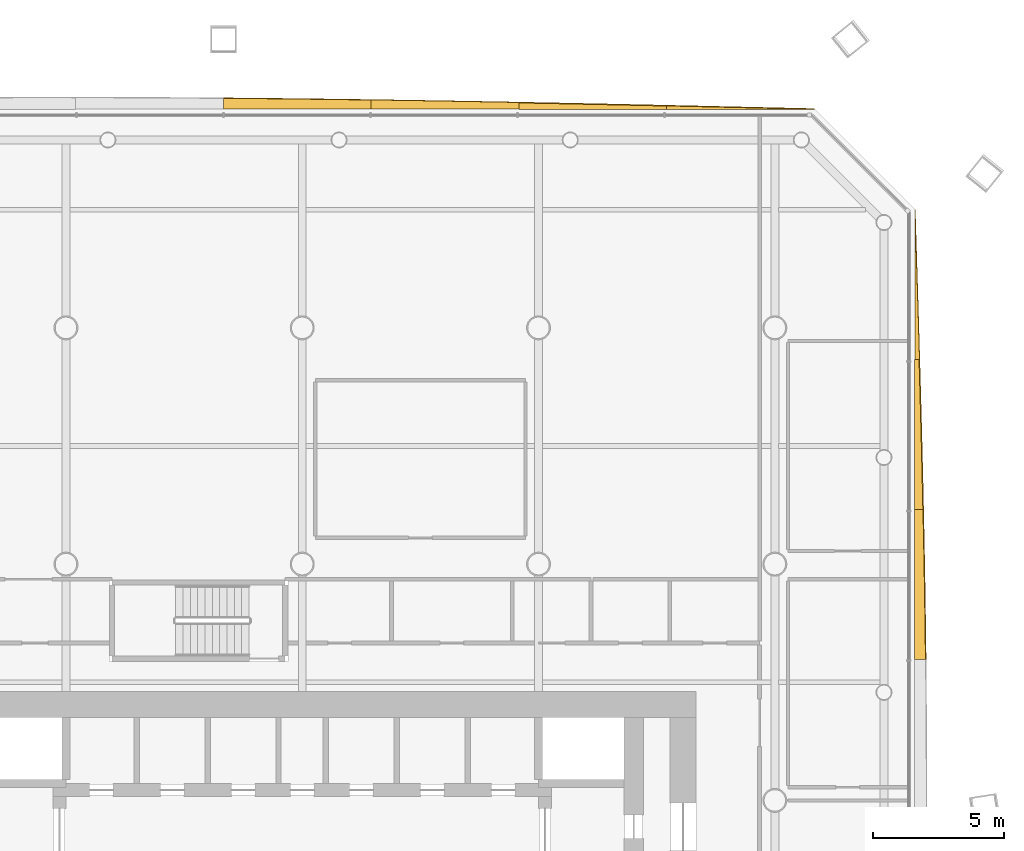
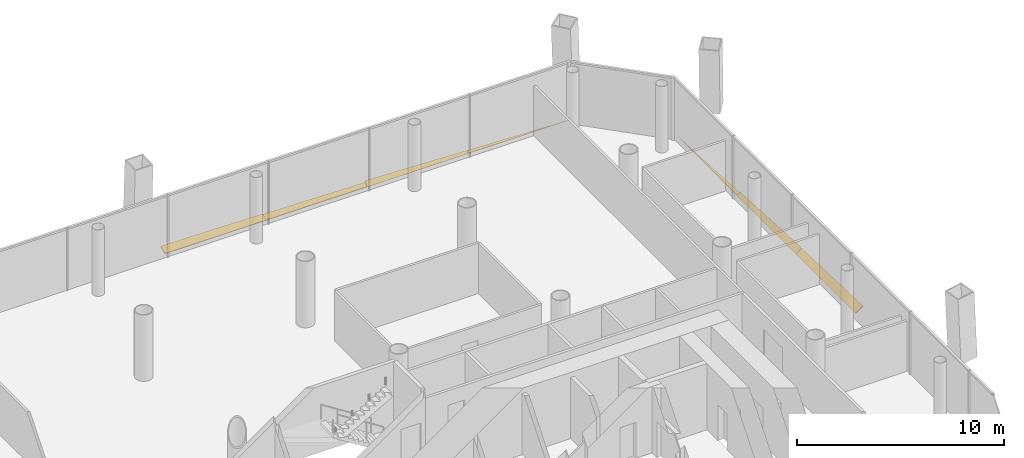
# One storey, part 20 of 20: 7 shading devices.
"""IFC4 building model written with IfcOpenShell, lengths in metres."""

from ifc_helpers import new_model, si_unit, direction, frame, origin, place, context, subcontext, project, spatial, polyline, outline, extrude, material, layer, layer_set, type_object, element, save


model = new_model("IFC4")

# Units and contexts
model_context = context("Model", 3, precision=1e-05, world=origin(), true_north=direction((0.0, 1.0)))
body_context = subcontext(model_context, "Body", "Model", "MODEL_VIEW")
ifc_project = project(units=[si_unit("LENGTHUNIT", "METRE"), si_unit("AREAUNIT", "SQUARE_METRE"), si_unit("VOLUMEUNIT", "CUBIC_METRE"), si_unit("PLANEANGLEUNIT", "RADIAN"), si_unit("MASSUNIT", "GRAM", prefix="KILO")], contexts=[model_context])

# Site, building, storey
site_placement = place(None, origin())
site = spatial("IfcSite", under=ifc_project, at=site_placement, CompositionType="ELEMENT")
building_placement = place(site_placement, origin())
building = spatial("IfcBuilding", under=site, at=building_placement, Name="Tskaro Facet Tower", CompositionType="ELEMENT")
storey_placement = place(building_placement, frame((0.0, 0.0, 49.800048828125)))
storey = spatial("IfcBuildingStorey", under=building, at=storey_placement, Name="L11", CompositionType="ELEMENT", Elevation=49.800048828125)

# Shading devices
ifc_material = material(Name="Bronze anodised aluminium 6063-T6", Category="aluminium")
ifc_layer = layer(ifc_material, 0.06005859375, Name="Bronze anodised aluminium 6063-T6")
ifc_layer_set = layer_set([ifc_layer], Name="Bronze anodised aluminium 6063-T6")
shading_device_type = type_object("IfcShadingDeviceType", Name="Bronze sun blade (FN1)", PredefinedType="USERDEFINED", material=ifc_layer_set)
shading_device_1_placement = place(storey_placement, frame((23.322509765625, 5.3583984375, 0.049072265625), z_axis=(-0.573550276794, -4.924041e-06, 0.819170360771), x_axis=(-2.824185e-06, 0.999999999988, 4.033628e-06)))
element("IfcShadingDevice", 1, at=shading_device_1_placement, inside=storey, type_object=shading_device_type, Name="Fin blade east 6", ObjectType="FIN", PredefinedType="USERDEFINED", context=body_context, shape_type="SweptSolid", body=[
    extrude(outline(polyline([(0.0, 0.0), (5.7167968749306945, 0.0), (5.716796875413852, -0.39019521633017207), (5.002197265643841, -0.4086159253806708), (4.287597656662277, -0.42595660952962566), (3.572998046794891, -0.4422772346178516), (2.85839843673118, -0.4573778078814863), (2.1437988274559174, -0.47139835624357695), (1.429199218673829, -0.48399886001721404), (0.7145996099906898, -0.49571933165316945), (1.264537964997419e-10, -0.5060797245414865), (0.0, 0.0)])), origin(), (0.0, 0.0, -1.0), 0.06005859375),
])
shading_device_2_placement = place(storey_placement, frame((23.318359375, 11.0751953125, 0.0458984375), z_axis=(-0.642742407564, -8.94498e-07, 0.76608236993), x_axis=(-5.74932e-07, 1.0, 6.85259e-07)))
element("IfcShadingDevice", 2, at=shading_device_2_placement, inside=storey, type_object=shading_device_type, Name="Fin blade east 7", ObjectType="FIN", PredefinedType="USERDEFINED", context=body_context, shape_type="SweptSolid", body=[
    extrude(outline(polyline([(0.0, 0.0), (5.717041015622713, -3.0265763131491014e-22), (5.717041015561255, -0.22684762321934981), (5.002441406247285, -0.2533556323096181), (4.287597656254442, -0.2791757386765002), (3.5729980468327285, -0.3043079423199961), (2.858398437497508, -0.3285652114115095), (2.143798828108418, -0.35213457777963675), (1.429199218805821, -0.3748290095957815), (0.7145996094224176, -0.396491587326847), (-4.179184626114558e-11, -0.4171223109728332), (0.0, 0.0)])), origin(), (0.0, 0.0, -1.0), 0.06005859375),
])
shading_device_3_placement = place(storey_placement, frame((23.33642578125, 16.792236328125, 0.056396484375), z_axis=(-0.341180736834, 2.3145741e-05, 0.939997715039), x_axis=(7.896881e-06, 0.999999999732, -2.1756943e-05)))
element("IfcShadingDevice", 3, at=shading_device_3_placement, inside=storey, type_object=shading_device_type, Name="Fin blade east 8", ObjectType="FIN", PredefinedType="USERDEFINED", context=body_context, shape_type="SweptSolid", body=[
    extrude(outline(polyline([(0.0, 0.0), (5.716796873468684, 0.0), (5.002197266368572, -0.023862000518859526), (4.287597657340511, -0.04749450940800949), (3.5729980463845004, -0.0708975266674499), (2.8583984354284895, -0.09430054392689033), (2.1437988278562834, -0.11739077347827026), (1.4291992183561277, -0.14025151139994063), (0.7145996069280226, -0.16288275769190147), (-3.044227551640623e-09, -0.18497172464609224), (0.0, 0.0)])), origin(), (0.0, 0.0, -1.0), 0.06005859375),
])
shading_device_4_placement = place(storey_placement, frame((19.509033203125, 26.322509765625, 0.049072265625), z_axis=(1.1419232e-05, -0.573449467097, 0.819240934375), x_axis=(-0.999999999935, -6.548353e-06, 9.355102e-06)))
element("IfcShadingDevice", 4, at=shading_device_4_placement, inside=storey, type_object=shading_device_type, Name="Fin blade north 1", ObjectType="FIN", PredefinedType="USERDEFINED", context=body_context, shape_type="SweptSolid", body=[
    extrude(outline(polyline([(0.0, 0.0), (5.62719726525811, 0.0), (5.627197265971702, -0.15828616649304866), (4.923828126531065, -0.1389854128898016), (4.220458984806466, -0.11954465697524236), (3.5170898446805876, -0.09990389106692618), (2.813720702270748, -0.08012312284729789), (2.1103515614596273, -0.06014234463391266), (1.4067382800235226, -0.04016156642052742), (0.7033691392124019, -0.020180788207142183), (0.0, 0.0)])), origin(), (0.0, 0.0, -1.0), 0.06005859375),
])
shading_device_5_placement = place(storey_placement, frame((13.8818359375, 26.318359375, 0.0458984375), z_axis=(-1.6703489e-05, -0.642798475463, 0.766035325337), x_axis=(-0.99999999986, 1.0736977e-05, -1.2795463e-05)))
element("IfcShadingDevice", 5, at=shading_device_5_placement, inside=storey, type_object=shading_device_type, Name="Fin blade north 2", ObjectType="FIN", PredefinedType="USERDEFINED", context=body_context, shape_type="SweptSolid", body=[
    extrude(outline(polyline([(0.0, 0.0), (5.627441405464954, 9.533256559673644e-21), (5.6274414071824195, -0.3237197733938871), (4.923828123437568, -0.30568375242190243), (4.220458983944135, -0.2871468446636511), (3.517089841829369, -0.26842291656227385), (2.813720703341055, -0.24919810167462997), (2.110351562231409, -0.22978626644386013), (1.4069824221268825, -0.20968652408369776), (0.7036132820223564, -0.18958678172353535), (-1.32846825330523e-09, -0.16930001902024705), (0.0, 0.0)])), origin(), (0.0, 0.0, -1.0), 0.06005859375),
])
shading_device_6_placement = place(storey_placement, frame((8.25439453125, 26.33642578125, 0.056396484375), z_axis=(-2.28468e-06, -0.341712208589, 0.93980464273), x_axis=(-0.999999999997, 7.80703e-07, -2.147153e-06)))
element("IfcShadingDevice", 6, at=shading_device_6_placement, inside=storey, type_object=shading_device_type, Name="Fin blade north 3", ObjectType="FIN", PredefinedType="USERDEFINED", context=body_context, shape_type="SweptSolid", body=[
    extrude(outline(polyline([(0.0, 0.0), (5.627197265610313, 0.0), (5.627197265821075, -0.36677307581645396), (4.923828124674561, -0.3554261306482273), (4.2202148437608615, -0.3436828893227956), (3.5168457030909575, -0.331480759011655), (2.8134765625640585, -0.31873631388263013), (2.110107421846558, -0.30576242426075073), (1.406738281081461, -0.29201677532813264), (0.703369140840571, -0.27818770056333925), (2.1847848916239645e-10, -0.26389973681283685), (0.0, 0.0)])), origin(), (0.0, 0.0, -1.0), 0.06005859375),
])
shading_device_7_placement = place(storey_placement, frame((2.627197265625, 26.33154296875, 0.054443359375), z_axis=(6.507241e-06, -0.422306563465, 0.906453069062), x_axis=(-0.999999999979, -2.748051e-06, 5.898509e-06)))
element("IfcShadingDevice", 7, at=shading_device_7_placement, inside=storey, type_object=shading_device_type, Name="Fin blade north 4", ObjectType="FIN", PredefinedType="USERDEFINED", context=body_context, shape_type="SweptSolid", body=[
    extrude(outline(polyline([(0.0, 0.0), (5.627197265505861, -2.383210742341842e-21), (5.627197266143567, -0.4536078175439162), (4.923828124256288, -0.4465136366061051), (4.2204589843817395, -0.4387555496118381), (3.517089844408948, -0.4304517563915857), (2.813476562272852, -0.4214991547569996), (2.110107422103572, -0.4121039490847762), (1.4067382803959825, -0.4020599349982191), (0.7033691407011254, -0.3913520148552062), (2.371136939508701e-10, -0.3803196905050264), (0.0, 0.0)])), origin(), (0.0, 0.0, -1.0), 0.06005859375),
])

save(model, "model.ifc")
